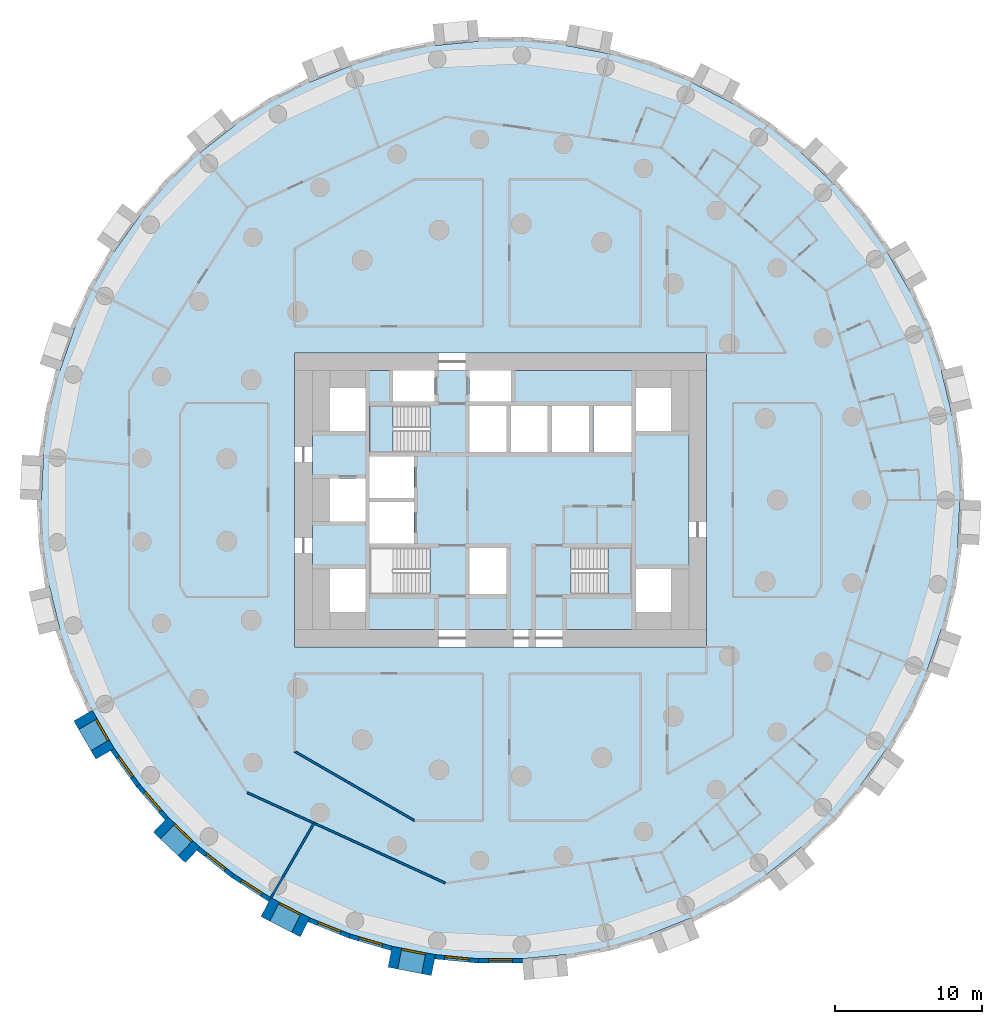
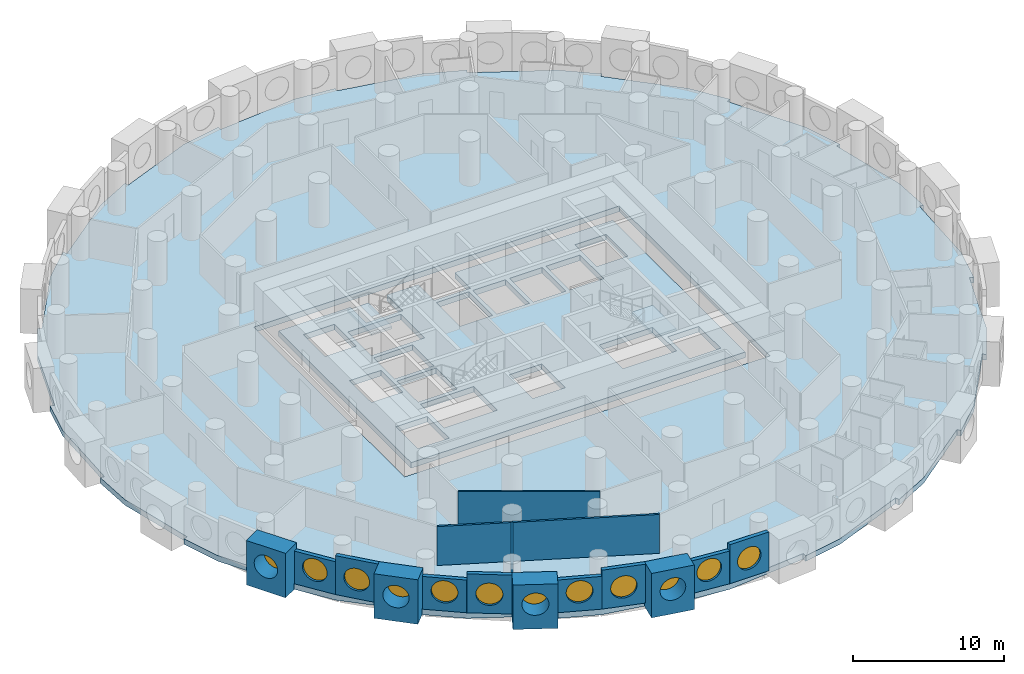
# One storey, part 2 of 12: 15 walls, 12 windows, 4 slabs, 12 openings, 2 elements without a shape of their own.
"""IFC4 building model written with IfcOpenShell, lengths in metres."""

import ifcopenshell
import ifcopenshell.guid

model = None  # the IFC model being written
_history = None  # IfcOwnerHistory: only IFC2X3 demands one
_inside = {}  # id of a spatial element -> (the spatial element, [elements in it])
_under = {}  # id of a project, library or spatial element -> (it, [spatial elements below it])
_declared = {}  # id of a project -> (the project, [libraries it declares])
_typed = {}  # id of a type object -> (the type object, [elements of that type])
_made_of = {}  # id of a material, layer set ... -> (it, [elements and type objects made of it])


def new_model(schema):
    """Start an empty IFC model of exactly this schema.

    Asked for "IFC4X3", IfcOpenShell would pick the latest addendum, in which some entities
    have other attributes; the version numbers below select the first issue.
    IFC2X3 requires an IfcOwnerHistory on every rooted entity: one is made here for all.
    """
    global model, _history
    if schema == "IFC4X3":
        model = ifcopenshell.file(schema_version=(4, 3, 0, 0))
    else:
        model = ifcopenshell.file(schema=schema)
    _inside.clear()
    _under.clear()
    _declared.clear()
    _typed.clear()
    _made_of.clear()
    _history = None
    if model.schema == "IFC2X3":
        org = make("IfcOrganization", Name="unknown")
        user = make(
            "IfcPersonAndOrganization",
            ThePerson=make("IfcPerson", FamilyName="unknown"),
            TheOrganization=org,
        )
        app = make(
            "IfcApplication",
            ApplicationDeveloper=org,
            Version="unknown",
            ApplicationFullName="unknown",
            ApplicationIdentifier="unknown",
        )
        _history = make(
            "IfcOwnerHistory",
            OwningUser=user,
            OwningApplication=app,
            ChangeAction="ADDED",
            CreationDate=0,
        )
    return model


def make(cls, **values):
    """One entity of the class cls with the attributes given. An attribute that is None is left unset."""
    return model.create_entity(
        cls, **{name: value for name, value in values.items() if value is not None}
    )


def rooted(cls, **values):
    """An entity with a GlobalId (a new one), such as an element, a storey or a relation."""
    return make(cls, GlobalId=ifcopenshell.guid.new(), OwnerHistory=_history, **values)


def si_unit(unit_type, name, prefix=None):
    """IfcSIUnit, for example si_unit("LENGTHUNIT", "METRE", prefix="MILLI")."""
    return make("IfcSIUnit", UnitType=unit_type, Prefix=prefix, Name=name)


def assignment(units):
    """IfcUnitAssignment: the units of a project."""
    return None if units is None else make("IfcUnitAssignment", Units=units)


def point(xyz):
    """IfcCartesianPoint."""
    return None if xyz is None else make("IfcCartesianPoint", Coordinates=xyz)


def direction(xyz):
    """IfcDirection."""
    return None if xyz is None else make("IfcDirection", DirectionRatios=xyz)


def frame(location, z_axis=None, x_axis=None):
    """IfcAxis2Placement3D, a coordinate frame: its origin and axes. An axis left out is left unset."""
    return make(
        "IfcAxis2Placement3D",
        Location=point(location),
        Axis=direction(z_axis),
        RefDirection=direction(x_axis),
    )


def frame_2d(location, x_axis=None):
    """IfcAxis2Placement2D, a coordinate frame in the plane: its origin and x axis."""
    return make(
        "IfcAxis2Placement2D", Location=point(location), RefDirection=direction(x_axis)
    )


def origin():
    """The frame at (0, 0, 0) with its axes left unset."""
    return frame((0.0, 0.0, 0.0))


def origin_2d():
    """The frame at (0, 0) in the plane with its x axis left unset."""
    return frame_2d((0.0, 0.0))


def place(relative_to, where):
    """IfcLocalPlacement: puts the frame where relative to a parent placement (None: the world)."""
    return make(
        "IfcLocalPlacement", PlacementRelTo=relative_to, RelativePlacement=where
    )


def context(
    kind, dimensions, precision=None, world=None, true_north=None, identifier=None
):
    """IfcGeometricRepresentationContext, for example the 3D "Model" context."""
    return make(
        "IfcGeometricRepresentationContext",
        ContextIdentifier=identifier,
        ContextType=kind,
        CoordinateSpaceDimension=dimensions,
        Precision=precision,
        WorldCoordinateSystem=world,
        TrueNorth=true_north,
    )


def subcontext(parent, identifier, kind, view, scale=None):
    """IfcGeometricRepresentationSubContext, for example "Body" below "Model"."""
    return make(
        "IfcGeometricRepresentationSubContext",
        ContextIdentifier=identifier,
        ContextType=kind,
        ParentContext=parent,
        TargetScale=scale,
        TargetView=view,
    )


def project(units=None, contexts=None):
    """IfcProject with its units and contexts."""
    return rooted(
        "IfcProject",
        Name="project",
        RepresentationContexts=contexts,
        UnitsInContext=assignment(units),
    )


def spatial(cls, under=None, at=None, **own):
    """A site, building, storey or space (cls), placed at a placement, below another one or the project."""
    s = rooted(cls, ObjectPlacement=at, **own)
    if under is not None:
        _under.setdefault(under.id(), (under, []))[1].append(s)
    return s


def polyline(points):
    """IfcPolyline through the points."""
    return make("IfcPolyline", Points=[point(p) for p in points])


def profile(cls, at=None, kind="AREA", **sizes):
    """A parametric profile (cls). Its sizes go by their IFC names, for example OverallWidth=200.0."""
    return make(cls, ProfileType=kind, Position=at, **sizes)


def rectangle(**sizes):
    """IfcRectangleProfileDef."""
    return profile("IfcRectangleProfileDef", **sizes)


def circle(**sizes):
    """IfcCircleProfileDef."""
    return profile("IfcCircleProfileDef", **sizes)


def outline(outer, holes=None, kind="AREA"):
    """IfcArbitraryClosedProfileDef: a profile drawn as a closed curve; with holes, ...WithVoids."""
    if holes is None:
        return make("IfcArbitraryClosedProfileDef", ProfileType=kind, OuterCurve=outer)
    return make(
        "IfcArbitraryProfileDefWithVoids",
        ProfileType=kind,
        OuterCurve=outer,
        InnerCurves=holes,
    )


def extrude(swept, where, along, depth):
    """IfcExtrudedAreaSolid: the profile swept, set in the frame where, extruded along a direction by depth."""
    return make(
        "IfcExtrudedAreaSolid",
        SweptArea=swept,
        Position=where,
        ExtrudedDirection=direction(along),
        Depth=depth,
    )


def shape(context_of_items, identifier, shape_type, items):
    """IfcShapeRepresentation: the items that make up one representation, for example the "Body"."""
    return make(
        "IfcShapeRepresentation",
        ContextOfItems=context_of_items,
        RepresentationIdentifier=identifier,
        RepresentationType=shape_type,
        Items=items,
    )


def material(Name=None, Category=None):
    """IfcMaterial."""
    return make("IfcMaterial", Name=Name, Category=Category)


def layer(
    of_material, thickness, ventilated=None, Name=None, Category=None, Priority=None
):
    """IfcMaterialLayer: one layer of a wall or slab, of a material (None: an air gap)."""
    return make(
        "IfcMaterialLayer",
        Material=of_material,
        LayerThickness=thickness,
        IsVentilated=ventilated,
        Name=Name,
        Category=Category,
        Priority=Priority,
    )


def layer_set(layers, Name=None):
    """IfcMaterialLayerSet."""
    return make("IfcMaterialLayerSet", MaterialLayers=layers, LayerSetName=Name)


def made_of(thing, what):
    """Note that an element or type object is made of a material, layer set ...; save() writes the relation."""
    if what is not None:
        _made_of.setdefault(what.id(), (what, []))[1].append(thing)
    return thing


def type_object(cls, material=None, **own):
    """A type object (cls), such as IfcWallType, which elements share."""
    return made_of(rooted(cls, **own), material)


def element(
    cls,
    number,
    at=None,
    inside=None,
    cuts=None,
    type_object=None,
    material=None,
    context=None,
    identifier="Body",
    shape_type=None,
    held_by="IfcProductDefinitionShape",
    body=None,
    shapes=None,
    **own,
):
    """One element of the class cls, such as IfcWall. Its Tag is "e" and its number.

    at: its placement. inside: the storey or other place that contains it. cuts: it is an
    opening in that element (IfcRelVoidsElement). A single representation is given by context,
    identifier, shape_type and body (its items); several are given by shapes. held_by: the class
    of the entity that holds the representations. save() writes the other relations.
    """
    e = rooted(cls, Tag="e%d" % number, ObjectPlacement=at, **own)
    if body is not None:
        shapes = [shape(context, identifier, shape_type, body)]
    if shapes is not None:
        e.Representation = make(held_by, Representations=shapes)
    if inside is not None:
        _inside.setdefault(inside.id(), (inside, []))[1].append(e)
    if cuts is not None:
        rooted(
            "IfcRelVoidsElement", RelatingBuildingElement=cuts, RelatedOpeningElement=e
        )
    if type_object is not None:
        _typed.setdefault(type_object.id(), (type_object, []))[1].append(e)
    return made_of(e, material)


def fill(opening, filler):
    """IfcRelFillsElement: the door or window that sits in an opening."""
    return rooted(
        "IfcRelFillsElement",
        RelatingOpeningElement=opening,
        RelatedBuildingElement=filler,
    )


def aggregate(whole, parts):
    """IfcRelAggregates: a whole, such as a stair, and the parts it consists of."""
    return rooted("IfcRelAggregates", RelatingObject=whole, RelatedObjects=parts)


def save(model, path):
    """Write the relations noted so far, then the file.

    IfcRelAggregates (storeys below a building ...), IfcRelContainedInSpatialStructure (elements
    in a storey), IfcRelDefinesByType, IfcRelAssociatesMaterial and IfcRelDeclares: one each for
    every whole, place, type object, material and project.
    """
    for whole, parts in _under.values():
        aggregate(whole, parts)
    for where, things in _inside.values():
        rooted(
            "IfcRelContainedInSpatialStructure",
            RelatedElements=things,
            RelatingStructure=where,
        )
    for kind, things in _typed.values():
        rooted("IfcRelDefinesByType", RelatedObjects=things, RelatingType=kind)
    for what, things in _made_of.values():
        rooted("IfcRelAssociatesMaterial", RelatedObjects=things, RelatingMaterial=what)
    for by, libraries in _declared.values():
        rooted("IfcRelDeclares", RelatingContext=by, RelatedDefinitions=libraries)
    model.write(path)


model = new_model("IFC4")

# Units and contexts
model_context = context("Model", 3, precision=1e-05, world=origin(), true_north=direction((0.0, 1.0)))
body_context = subcontext(model_context, "Body", "Model", "MODEL_VIEW")
ifc_project = project(units=[si_unit("LENGTHUNIT", "METRE"), si_unit("AREAUNIT", "SQUARE_METRE"), si_unit("VOLUMEUNIT", "CUBIC_METRE"), si_unit("PLANEANGLEUNIT", "RADIAN"), si_unit("MASSUNIT", "GRAM", prefix="KILO")], contexts=[model_context])

# Site, building, storey
site_placement = place(None, origin())
site = spatial("IfcSite", under=ifc_project, at=site_placement, CompositionType="ELEMENT")
building_placement = place(site_placement, origin())
building = spatial("IfcBuilding", under=site, at=building_placement, Name="Tracery Tower", CompositionType="ELEMENT")
storey_placement = place(building_placement, frame((0.0, 0.0, 78.60009765625)))
storey = spatial("IfcBuildingStorey", under=building, at=storey_placement, Name="L19", CompositionType="ELEMENT", Elevation=78.60009765625)

# Slabs
ifc_material_1 = material(Name="Concrete C60/75", Category="concrete")
ifc_layer_1 = layer(ifc_material_1, 0.449951171875)
ifc_layer_set_1 = layer_set([ifc_layer_1], Name="Core floor slab 450 C60")
slab_type_1 = type_object("IfcSlabType", Name="Core floor slab 450 C60", PredefinedType="FLOOR", material=ifc_layer_set_1)
slab_1_placement = place(storey_placement, frame((0.0, 0.0, -0.4501953125)))
element("IfcSlab", 1, at=slab_1_placement, inside=storey, type_object=slab_type_1, Name="L19 core floor 1", PredefinedType="FLOOR", context=body_context, shape_type="SweptSolid", body=[
    extrude(outline(polyline([(-12.800048828125, 8.800048828125), (-7.300048828125, 8.800048828125), (-7.300048828125, 6.699951171875), (-4.5, 6.699951171875), (-4.5, 8.800048828125), (-2.10009765625, 8.800048828125), (-2.10009765625, 6.699951171875), (0.699951171875, 6.699951171875), (0.699951171875, 8.800048828125), (12.800048828125, 8.800048828125), (12.800048828125, -8.800048828125), (-12.800048828125, -8.800048828125), (-12.800048828125, 8.800048828125)]), holes=[polyline([(11.60009765625, -7.60009765625), (11.60009765625, -4.699951171875), (9.199951171875, -4.699951171875), (9.199951171875, -7.60009765625), (11.60009765625, -7.60009765625)]), polyline([(11.60009765625, 4.699951171875), (11.60009765625, 7.60009765625), (9.199951171875, 7.60009765625), (9.199951171875, 4.699951171875), (11.60009765625, 4.699951171875)]), polyline([(4.800537109375, -3.25), (4.800537109375, -6.39990234375), (8.89990234375, -6.39990234375), (8.89990234375, -3.25), (4.800537109375, -3.25)]), polyline([(6.300048828125, 3.25), (8.89990234375, 3.25), (8.89990234375, 6.39990234375), (6.300048828125, 6.39990234375), (6.300048828125, 3.25)]), polyline([(3.5, 3.25), (6.0, 3.25), (6.0, 6.39990234375), (3.5, 6.39990234375), (3.5, 3.25)]), polyline([(3.199951171875, 3.25), (3.199951171875, 6.39990234375), (0.699951171875, 6.39990234375), (0.699951171875, 3.25), (3.199951171875, 3.25)]), polyline([(-2.10009765625, 3.25), (0.39990234375, 3.25), (0.39990234375, 6.39990234375), (-2.10009765625, 6.39990234375), (-2.10009765625, 3.25)]), polyline([(0.39990234375, -6.39990234375), (0.39990234375, -3.25), (-2.10009765625, -3.25), (-2.10009765625, -6.39990234375), (0.39990234375, -6.39990234375)]), polyline([(-4.800537109375, -3.25), (-8.89990234375, -3.25), (-8.89990234375, -6.39990234375), (-4.800537109375, -6.39990234375), (-4.800537109375, -3.25)]), polyline([(-4.800537109375, 6.39990234375), (-8.89990234375, 6.39990234375), (-8.89990234375, 3.25), (-4.800537109375, 3.25), (-4.800537109375, 6.39990234375)]), polyline([(-8.89990234375, -2.949951171875), (-5.89990234375, -2.949951171875), (-5.89990234375, -0.14990234375), (-8.89990234375, -0.14990234375), (-8.89990234375, -2.949951171875)]), polyline([(-5.89990234375, 0.14990234375), (-5.89990234375, 2.949951171875), (-8.89990234375, 2.949951171875), (-8.89990234375, 0.14990234375), (-5.89990234375, 0.14990234375)]), polyline([(-11.60009765625, 4.699951171875), (-9.199951171875, 4.699951171875), (-9.199951171875, 7.60009765625), (-11.60009765625, 7.60009765625), (-11.60009765625, 4.699951171875)]), polyline([(-9.199951171875, -7.60009765625), (-9.199951171875, -4.699951171875), (-11.60009765625, -4.699951171875), (-11.60009765625, -7.60009765625), (-9.199951171875, -7.60009765625)]), polyline([(-9.199951171875, -1.449951171875), (-9.199951171875, 1.449951171875), (-11.60009765625, 1.449951171875), (-11.60009765625, -1.449951171875), (-9.199951171875, -1.449951171875)])]), origin(), (0.0, 0.0, 1.0), 0.4501953125),
])
ifc_material_2 = material(Name="Concrete C50/60", Category="concrete")
ifc_layer_2 = layer(ifc_material_2, 0.449951171875)
ifc_layer_set_2 = layer_set([ifc_layer_2], Name="Floor slab 450")
slab_type_2 = type_object("IfcSlabType", Name="Floor slab 450", PredefinedType="FLOOR", material=ifc_layer_set_2)
slab_2_placement = place(storey_placement, frame((0.0, 0.0, -0.4501953125)))
element("IfcSlab", 2, at=slab_2_placement, inside=storey, type_object=slab_type_2, Name="Floor slab L19", PredefinedType="FLOOR", context=body_context, shape_type="SweptSolid", body=[
    extrude(outline(polyline([(30.663330078125, 5.8955078125), (30.663330078125, 5.895263671875), (30.66015625, 5.908447265625), (30.659912109375, 5.9091796875), (30.6015625, 6.150390625), (29.9560546875, 8.810791015625), (30.24755859375, 8.881591796875), (30.24755859375, 8.881591796875), (29.266357421875, 11.716552734375), (27.760498046875, 14.29541015625), (27.760498046875, 14.29541015625), (27.7548828125, 14.3046875), (27.753173828125, 14.307861328125), (26.267578125, 16.881103515625), (26.267578125, 16.881103515625), (26.260498046875, 16.8935546875), (26.52001953125, 17.04345703125), (26.520263671875, 17.04345703125), (24.780029296875, 19.4873046875), (22.6083984375, 21.537353515625), (22.6083984375, 21.537353515625), (21.854736328125, 22.256103515625), (20.447509765625, 23.59765625), (20.447509765625, 23.59765625), (20.437255859375, 23.607666015625), (20.64404296875, 23.824462890625), (20.644287109375, 23.82470703125), (18.2861328125, 25.67919921875), (15.625, 27.034423828125), (15.624755859375, 27.034423828125), (15.614990234375, 27.03955078125), (15.612060546875, 27.041015625), (13.0693359375, 28.351806640625), (12.958251953125, 28.4091796875), (13.095703125, 28.67578125), (10.310791015625, 29.790771484375), (7.37548828125, 30.341552734375), (7.37548828125, 30.34130859375), (7.114501953125, 30.3916015625), (4.443603515625, 30.906494140625), (4.443603515625, 30.906494140625), (4.4296875, 30.9091796875), (4.486328125, 31.203369140625), (4.486328125, 31.20361328125), (1.5, 31.489013671875), (-1.471435546875, 31.190185546875), (-1.471435546875, 31.190185546875), (-1.859375, 31.1533203125), (-4.443603515625, 30.906494140625), (-4.443603515625, 30.906494140625), (-4.4580078125, 30.905029296875), (-4.486328125, 31.20361328125), (-7.43212890625, 30.635986328125), (-10.19921875, 29.512451171875), (-10.19921875, 29.51220703125), (-12.984375, 28.397216796875), (-13.095703125, 28.67578125), (-13.095703125, 28.67578125), (-15.76220703125, 27.301025390625), (-18.1005859375, 25.443359375), (-18.1005859375, 25.443359375), (-18.103271484375, 25.44140625), (-18.11181640625, 25.4345703125), (-20.447509765625, 23.59765625), (-20.447509765625, 23.59765625), (-20.458740234375, 23.5888671875), (-20.644287109375, 23.82470703125), (-22.8154296875, 21.75439453125), (-24.53564453125, 19.313232421875), (-24.53564453125, 19.313232421875), (-24.81201171875, 18.9248046875), (-26.267578125, 16.881103515625), (-26.267578125, 16.881103515625), (-26.27587890625, 16.869384765625), (-26.520263671875, 17.04345703125), (-28.020263671875, 14.4453125), (-28.98291015625, 11.618408203125), (-28.98291015625, 11.618408203125), (-29.964111328125, 8.783447265625), (-30.24755859375, 8.881591796875), (-30.954833984375, 5.966064453125), (-31.082275390625, 2.982421875), (-31.082275390625, 2.982421875), (-31.224853515625, -0.014404296875), (-31.524658203125, 0.0), (-31.524658203125, 0.0), (-31.3818359375, -2.99658203125), (-30.663330078125, -5.8955078125), (-30.663330078125, -5.895263671875), (-30.66015625, -5.908447265625), (-30.659912109375, -5.9091796875), (-30.6015625, -6.150390625), (-29.9560546875, -8.810791015625), (-30.24755859375, -8.881591796875), (-30.24755859375, -8.881591796875), (-29.266357421875, -11.716552734375), (-27.760498046875, -14.29541015625), (-27.760498046875, -14.29541015625), (-27.7548828125, -14.3046875), (-27.753173828125, -14.307861328125), (-26.267578125, -16.881103515625), (-26.267578125, -16.881103515625), (-26.260498046875, -16.8935546875), (-26.52001953125, -17.04345703125), (-26.520263671875, -17.04345703125), (-24.780029296875, -19.4873046875), (-22.6083984375, -21.537353515625), (-22.6083984375, -21.537353515625), (-21.854736328125, -22.256103515625), (-20.447509765625, -23.59765625), (-20.447509765625, -23.59765625), (-20.437255859375, -23.607666015625), (-20.64404296875, -23.824462890625), (-20.644287109375, -23.82470703125), (-18.2861328125, -25.67919921875), (-15.625, -27.034423828125), (-15.624755859375, -27.034423828125), (-15.614990234375, -27.03955078125), (-15.612060546875, -27.041015625), (-13.0693359375, -28.351806640625), (-12.958251953125, -28.4091796875), (-13.095703125, -28.67578125), (-10.310791015625, -29.790771484375), (-7.37548828125, -30.341552734375), (-7.37548828125, -30.34130859375), (-7.114501953125, -30.3916015625), (-4.443603515625, -30.906494140625), (-4.443603515625, -30.906494140625), (-4.4296875, -30.9091796875), (-4.486328125, -31.203369140625), (-4.486328125, -31.20361328125), (-1.5, -31.489013671875), (1.471435546875, -31.190185546875), (1.471435546875, -31.190185546875), (1.859375, -31.1533203125), (4.443603515625, -30.906494140625), (4.443603515625, -30.906494140625), (4.4580078125, -30.905029296875), (4.486328125, -31.20361328125), (7.43212890625, -30.635986328125), (10.19921875, -29.512451171875), (10.19921875, -29.51220703125), (12.984375, -28.397216796875), (13.095703125, -28.67578125), (13.095703125, -28.67578125), (15.76220703125, -27.301025390625), (18.1005859375, -25.443359375), (18.1005859375, -25.443359375), (18.103271484375, -25.44140625), (18.11181640625, -25.4345703125), (20.447509765625, -23.59765625), (20.447509765625, -23.59765625), (20.458740234375, -23.5888671875), (20.644287109375, -23.82470703125), (22.8154296875, -21.75439453125), (24.53564453125, -19.313232421875), (24.53564453125, -19.313232421875), (24.81201171875, -18.9248046875), (26.267578125, -16.881103515625), (26.267578125, -16.881103515625), (26.27587890625, -16.869384765625), (26.520263671875, -17.04345703125), (28.020263671875, -14.4453125), (28.98291015625, -11.618408203125), (28.98291015625, -11.618408203125), (29.964111328125, -8.783447265625), (30.24755859375, -8.881591796875), (30.954833984375, -5.966064453125), (31.082275390625, -2.982421875), (31.082275390625, -2.982421875), (31.224853515625, 0.014404296875), (31.524658203125, 0.0), (31.3818359375, 2.99658203125), (30.663330078125, 5.8955078125)]), holes=[polyline([(-14.0, -10.0), (14.0, -10.0), (14.0, 10.0), (-14.0, 10.0), (-14.0, -10.0)])]), origin(), (0.0, 0.0, 1.0), 0.4501953125),
])

# Stair, slab
ifc_material_3 = material(Name="Concrete C32/40", Category="concrete")
stair_type = type_object("IfcStairType", Name="Core stair 22 risers", PredefinedType="HALF_TURN_STAIR", material=ifc_material_3)
stair_1_placement = place(storey_placement, origin())
stair_1 = element("IfcStair", 3, at=stair_1_placement, inside=storey, type_object=stair_type, Name="L19 stair ST3", PredefinedType="HALF_TURN_STAIR")
ifc_material_4 = material(Name="Concrete C32/40", Category="concrete")
ifc_layer_3 = layer(ifc_material_4, 0.199951171875)
ifc_layer_set_3 = layer_set([ifc_layer_3], Name="Stair landing slab 200")
slab_type_3 = type_object("IfcSlabType", Name="Stair landing slab 200", PredefinedType="LANDING", material=ifc_layer_set_3)
slab_3_placement = place(storey_placement, frame((0.0, 0.0, 1.599853515625)))
slab_3 = element("IfcSlab", 4, at=slab_3_placement, type_object=slab_type_3, Name="ST3 landing 1", PredefinedType="LANDING", context=body_context, shape_type="SweptSolid", body=[
    extrude(outline(polyline([(-7.29931640625, 6.39990234375), (-8.89990234375, 6.39990234375), (-8.89990234375, 3.25), (-7.29931640625, 3.25), (-7.29931640625, 6.39990234375)])), origin(), (0.0, 0.0, 1.0), 0.199951171875),
])
aggregate(stair_1, [slab_3])

stair_2_placement = place(storey_placement, origin())
stair_2 = element("IfcStair", 5, at=stair_2_placement, inside=storey, type_object=stair_type, Name="L19 stair ST2", PredefinedType="HALF_TURN_STAIR")
slab_4_placement = place(storey_placement, frame((0.0, 0.0, 1.599853515625)))
slab_4 = element("IfcSlab", 6, at=slab_4_placement, type_object=slab_type_3, Name="ST2 landing 1", PredefinedType="LANDING", context=body_context, shape_type="SweptSolid", body=[
    extrude(outline(polyline([(7.29931640625, -6.39990234375), (8.89990234375, -6.39990234375), (8.89990234375, -3.25), (7.29931640625, -3.25), (7.29931640625, -6.39990234375)])), origin(), (0.0, 0.0, 1.0), 0.199951171875),
])
aggregate(stair_2, [slab_4])

# Wall, opening, window
ifc_material_5 = material(Name="Precast concrete C50/60", Category="concrete")
ifc_layer_4 = layer(ifc_material_5, 1.449951171875)
ifc_layer_set_4 = layer_set([ifc_layer_4], Name="Deep-set bay unit 3000 x 3600, slab edge 450")
wall_type_1 = type_object("IfcWallType", Name="Deep-set bay unit 3000 x 3600, slab edge 450", PredefinedType="ELEMENTEDWALL", material=ifc_layer_set_4)
wall_1_placement = place(storey_placement, frame((-28.38818359375, -14.657958984375, -0.4501953125), z_axis=(0.0, 0.0, 1.0), x_axis=(0.499990139034, -0.866031096941, 0.0)))
wall_1 = element("IfcWall", 7, at=wall_1_placement, inside=storey, type_object=wall_type_1, Name="Deep-set bay unit 39 at L19", PredefinedType="ELEMENTEDWALL", context=body_context, shape_type="SweptSolid", body=[
    extrude(rectangle(XDim=3.0, YDim=1.449951171875, at=frame_2d((1.5, 0.0))), origin(), (0.0, 0.0, 1.0), 3.60009765625),
])
opening_1_placement = place(wall_1_placement, frame((1.5, 0.0, 2.0)))
opening_1 = element("IfcOpeningElement", 8, at=opening_1_placement, cuts=wall_1, Name="Opening WN1", PredefinedType="OPENING", context=body_context, shape_type="SweptSolid", body=[
    extrude(circle(Radius=0.9000244140625, at=origin_2d()), frame((0.0, 0.73486328125, 0.0), z_axis=(0.0, -1.0, 0.0), x_axis=(1.0, 0.0, 0.0)), (0.0, 0.0, 1.0), 1.469970703125),
])
ifc_material_6 = material(Name="Aluminium frame with tinted double glazing", Category="aluminium")
window_type = type_object("IfcWindowType", Name="Round window 1800", PartitioningType="SINGLE_PANEL", PredefinedType="WINDOW", material=ifc_material_6)
window_1_placement = place(opening_1_placement, origin())
window_1 = element("IfcWindow", 9, at=window_1_placement, inside=storey, type_object=window_type, Name="Round window 39 at L19", OverallHeight=1.800048828125, OverallWidth=1.800048828125, PartitioningType="SINGLE_PANEL", PredefinedType="WINDOW", context=body_context, shape_type="SweptSolid", body=[
    extrude(circle(Radius=0.9000244140625, at=origin_2d()), frame((0.0, 0.69482421875, 0.0), z_axis=(0.0, -1.0, 0.0), x_axis=(1.0, 0.0, 0.0)), (0.0, 0.0, 1.0), 0.10009765625),
])
fill(opening_1, window_1)

wall_2_placement = place(storey_placement, frame((-23.108642578125, -22.06201171875, -0.4501953125), z_axis=(0.0, 0.0, 1.0), x_axis=(0.723712023899, -0.690102098579, 0.0)))
wall_2 = element("IfcWall", 10, at=wall_2_placement, inside=storey, type_object=wall_type_1, Name="Deep-set bay unit 42 at L19", PredefinedType="ELEMENTEDWALL", context=body_context, shape_type="SweptSolid", body=[
    extrude(rectangle(XDim=3.0, YDim=1.449951171875, at=frame_2d((1.5, 0.0))), origin(), (0.0, 0.0, 1.0), 3.60009765625),
])
opening_2_placement = place(wall_2_placement, frame((1.5, 0.0, 2.0)))
opening_2 = element("IfcOpeningElement", 11, at=opening_2_placement, cuts=wall_2, Name="Opening WN1", PredefinedType="OPENING", context=body_context, shape_type="SweptSolid", body=[
    extrude(circle(Radius=0.9000244140625, at=origin_2d()), frame((0.0, 0.73486328125, 0.0), z_axis=(0.0, -1.0, 0.0), x_axis=(1.0, 0.0, 0.0)), (0.0, 0.0, 1.0), 1.469970703125),
])
window_2_placement = place(opening_2_placement, origin())
window_2 = element("IfcWindow", 12, at=window_2_placement, inside=storey, type_object=window_type, Name="Round window 42 at L19", OverallHeight=1.800048828125, OverallWidth=1.800048828125, PartitioningType="SINGLE_PANEL", PredefinedType="WINDOW", context=body_context, shape_type="SweptSolid", body=[
    extrude(circle(Radius=0.9000244140625, at=origin_2d()), frame((0.0, 0.69482421875, 0.0), z_axis=(0.0, -1.0, 0.0), x_axis=(1.0, 0.0, 0.0)), (0.0, 0.0, 1.0), 0.10009765625),
])
fill(opening_2, window_2)

wall_3_placement = place(storey_placement, frame((-15.95703125, -27.678955078125, -0.4501953125), z_axis=(0.0, 0.0, 1.0), x_axis=(0.888858064689, -0.458182650083, 0.0)))
wall_3 = element("IfcWall", 13, at=wall_3_placement, inside=storey, type_object=wall_type_1, Name="Deep-set bay unit 45 at L19", PredefinedType="ELEMENTEDWALL", context=body_context, shape_type="SweptSolid", body=[
    extrude(rectangle(XDim=3.0, YDim=1.449951171875, at=frame_2d((1.5, 0.0))), origin(), (0.0, 0.0, 1.0), 3.60009765625),
])
opening_3_placement = place(wall_3_placement, frame((1.5, 0.0, 2.0)))
opening_3 = element("IfcOpeningElement", 14, at=opening_3_placement, cuts=wall_3, Name="Opening WN1", PredefinedType="OPENING", context=body_context, shape_type="SweptSolid", body=[
    extrude(circle(Radius=0.9000244140625, at=origin_2d()), frame((0.0, 0.73486328125, 0.0), z_axis=(0.0, -1.0, 0.0), x_axis=(1.0, 0.0, 0.0)), (0.0, 0.0, 1.0), 1.469970703125),
])
window_3_placement = place(opening_3_placement, origin())
window_3 = element("IfcWindow", 15, at=window_3_placement, inside=storey, type_object=window_type, Name="Round window 45 at L19", OverallHeight=1.800048828125, OverallWidth=1.800048828125, PartitioningType="SINGLE_PANEL", PredefinedType="WINDOW", context=body_context, shape_type="SweptSolid", body=[
    extrude(circle(Radius=0.9000244140625, at=origin_2d()), frame((0.0, 0.69482421875, 0.0), z_axis=(0.0, -1.0, 0.0), x_axis=(1.0, 0.0, 0.0)), (0.0, 0.0, 1.0), 0.10009765625),
])
fill(opening_3, window_3)

wall_4_placement = place(storey_placement, frame((-7.5126953125, -31.05322265625, -0.4501953125), z_axis=(0.0, 0.0, 1.0), x_axis=(0.981921602273, -0.189288052949, 0.0)))
wall_4 = element("IfcWall", 16, at=wall_4_placement, inside=storey, type_object=wall_type_1, Name="Deep-set bay unit 48 at L19", PredefinedType="ELEMENTEDWALL", context=body_context, shape_type="SweptSolid", body=[
    extrude(rectangle(XDim=3.0, YDim=1.449951171875, at=frame_2d((1.5, 0.0))), origin(), (0.0, 0.0, 1.0), 3.60009765625),
])
opening_4_placement = place(wall_4_placement, frame((1.5, 0.0, 2.0)))
opening_4 = element("IfcOpeningElement", 17, at=opening_4_placement, cuts=wall_4, Name="Opening WN1", PredefinedType="OPENING", context=body_context, shape_type="SweptSolid", body=[
    extrude(circle(Radius=0.9000244140625, at=origin_2d()), frame((0.0, 0.73486328125, 0.0), z_axis=(0.0, -1.0, 0.0), x_axis=(1.0, 0.0, 0.0)), (0.0, 0.0, 1.0), 1.469970703125),
])
window_4_placement = place(opening_4_placement, origin())
window_4 = element("IfcWindow", 18, at=window_4_placement, inside=storey, type_object=window_type, Name="Round window 48 at L19", OverallHeight=1.800048828125, OverallWidth=1.800048828125, PartitioningType="SINGLE_PANEL", PredefinedType="WINDOW", context=body_context, shape_type="SweptSolid", body=[
    extrude(circle(Radius=0.9000244140625, at=origin_2d()), frame((0.0, 0.69482421875, 0.0), z_axis=(0.0, -1.0, 0.0), x_axis=(1.0, 0.0, 0.0)), (0.0, 0.0, 1.0), 0.10009765625),
])
fill(opening_4, window_4)

ifc_material_7 = material(Name="Precast concrete C50/60", Category="concrete")
ifc_layer_5 = layer(ifc_material_7, 0.300048828125)
ifc_layer_set_5 = layer_set([ifc_layer_5], Name="Facade panel 3000 x 2650")
wall_type_2 = type_object("IfcWallType", Name="Facade panel 3000 x 2650", PredefinedType="SOLIDWALL", material=ifc_layer_set_5)
wall_5_placement = place(storey_placement, frame((-26.390380859375, -16.96728515625, 0.0), z_axis=(0.0, 0.0, 1.0), x_axis=(0.580113774115, -0.814535456, 0.0)))
wall_5 = element("IfcWall", 19, at=wall_5_placement, inside=storey, type_object=wall_type_2, Name="Facade panel 40 at L19", PredefinedType="SOLIDWALL", context=body_context, shape_type="SweptSolid", body=[
    extrude(rectangle(XDim=2.979736328125, YDim=0.300048828125, at=frame_2d((1.48974609375, 0.0))), origin(), (0.0, 0.0, 1.0), 2.64990234375),
])
opening_5_placement = place(wall_5_placement, frame((1.48974609375, 0.0, 1.5498046875)))
opening_5 = element("IfcOpeningElement", 20, at=opening_5_placement, cuts=wall_5, Name="Opening WN1", PredefinedType="OPENING", context=body_context, shape_type="SweptSolid", body=[
    extrude(circle(Radius=0.9000244140625, at=origin_2d()), frame((0.0, 0.159912109375, 0.0), z_axis=(0.0, -1.0, 0.0), x_axis=(1.0, 0.0, 0.0)), (0.0, 0.0, 1.0), 0.320068359375),
])
window_5_placement = place(opening_5_placement, origin())
window_5 = element("IfcWindow", 21, at=window_5_placement, inside=storey, type_object=window_type, Name="Round window 40 at L19", OverallHeight=1.800048828125, OverallWidth=1.800048828125, PartitioningType="SINGLE_PANEL", PredefinedType="WINDOW", context=body_context, shape_type="SweptSolid", body=[
    extrude(circle(Radius=0.9000244140625, at=origin_2d()), frame((0.0, 0.1201171875, 0.0), z_axis=(0.0, -1.0, 0.0), x_axis=(1.0, 0.0, 0.0)), (0.0, 0.0, 1.0), 0.10009765625),
])
fill(opening_5, window_5)

wall_6_placement = place(storey_placement, frame((-20.541015625, -23.715087890625, 0.0), z_axis=(0.0, 0.0, 1.0), x_axis=(0.786053834673, -0.618158045322, 0.0)))
wall_6 = element("IfcWall", 22, at=wall_6_placement, inside=storey, type_object=wall_type_2, Name="Facade panel 43 at L19", PredefinedType="SOLIDWALL", context=body_context, shape_type="SweptSolid", body=[
    extrude(rectangle(XDim=2.9794921875, YDim=0.300048828125, at=frame_2d((1.48974609375, 0.0))), origin(), (0.0, 0.0, 1.0), 2.64990234375),
])
opening_6_placement = place(wall_6_placement, frame((1.48974609375, 0.0, 1.5498046875)))
opening_6 = element("IfcOpeningElement", 23, at=opening_6_placement, cuts=wall_6, Name="Opening WN1", PredefinedType="OPENING", context=body_context, shape_type="SweptSolid", body=[
    extrude(circle(Radius=0.9000244140625, at=origin_2d()), frame((0.0, 0.159912109375, 0.0), z_axis=(0.0, -1.0, 0.0), x_axis=(1.0, 0.0, 0.0)), (0.0, 0.0, 1.0), 0.320068359375),
])
window_6_placement = place(opening_6_placement, origin())
window_6 = element("IfcWindow", 24, at=window_6_placement, inside=storey, type_object=window_type, Name="Round window 43 at L19", OverallHeight=1.800048828125, OverallWidth=1.800048828125, PartitioningType="SINGLE_PANEL", PredefinedType="WINDOW", context=body_context, shape_type="SweptSolid", body=[
    extrude(circle(Radius=0.9000244140625, at=origin_2d()), frame((0.0, 0.1201171875, 0.0), z_axis=(0.0, -1.0, 0.0), x_axis=(1.0, 0.0, 0.0)), (0.0, 0.0, 1.0), 0.10009765625),
])
fill(opening_6, window_6)

wall_7_placement = place(storey_placement, frame((-13.02783203125, -28.54150390625, 0.0), z_axis=(0.0, 0.0, 1.0), x_axis=(0.928374947, -0.371644935098, 0.0)))
wall_7 = element("IfcWall", 25, at=wall_7_placement, inside=storey, type_object=wall_type_2, Name="Facade panel 46 at L19", PredefinedType="SOLIDWALL", context=body_context, shape_type="SweptSolid", body=[
    extrude(rectangle(XDim=2.979736328125, YDim=0.300048828125, at=frame_2d((1.48974609375, 0.0))), origin(), (0.0, 0.0, 1.0), 2.64990234375),
])
opening_7_placement = place(wall_7_placement, frame((1.48974609375, 0.0, 1.5498046875)))
opening_7 = element("IfcOpeningElement", 26, at=opening_7_placement, cuts=wall_7, Name="Opening WN1", PredefinedType="OPENING", context=body_context, shape_type="SweptSolid", body=[
    extrude(circle(Radius=0.9000244140625, at=origin_2d()), frame((0.0, 0.159912109375, 0.0), z_axis=(0.0, -1.0, 0.0), x_axis=(1.0, 0.0, 0.0)), (0.0, 0.0, 1.0), 0.320068359375),
])
window_7_placement = place(opening_7_placement, origin())
window_7 = element("IfcWindow", 27, at=window_7_placement, inside=storey, type_object=window_type, Name="Round window 46 at L19", OverallHeight=1.800048828125, OverallWidth=1.800048828125, PartitioningType="SINGLE_PANEL", PredefinedType="WINDOW", context=body_context, shape_type="SweptSolid", body=[
    extrude(circle(Radius=0.9000244140625, at=origin_2d()), frame((0.0, 0.1201171875, 0.0), z_axis=(0.0, -1.0, 0.0), x_axis=(1.0, 0.0, 0.0)), (0.0, 0.0, 1.0), 0.10009765625),
])
fill(opening_7, window_7)

wall_8_placement = place(storey_placement, frame((-4.458984375, -31.0556640625, 0.0), z_axis=(0.0, 0.0, 1.0), x_axis=(0.995472611385, -0.095048829468, 0.0)))
wall_8 = element("IfcWall", 28, at=wall_8_placement, inside=storey, type_object=wall_type_2, Name="Facade panel 49 at L19", PredefinedType="SOLIDWALL", context=body_context, shape_type="SweptSolid", body=[
    extrude(rectangle(XDim=2.9794921875, YDim=0.300048828125, at=frame_2d((1.48974609375, 0.0))), origin(), (0.0, 0.0, 1.0), 2.64990234375),
])
opening_8_placement = place(wall_8_placement, frame((1.48974609375, 0.0, 1.5498046875)))
opening_8 = element("IfcOpeningElement", 29, at=opening_8_placement, cuts=wall_8, Name="Opening WN1", PredefinedType="OPENING", context=body_context, shape_type="SweptSolid", body=[
    extrude(circle(Radius=0.9000244140625, at=origin_2d()), frame((0.0, 0.159912109375, 0.0), z_axis=(0.0, -1.0, 0.0), x_axis=(1.0, 0.0, 0.0)), (0.0, 0.0, 1.0), 0.320068359375),
])
window_8_placement = place(opening_8_placement, origin())
window_8 = element("IfcWindow", 30, at=window_8_placement, inside=storey, type_object=window_type, Name="Round window 49 at L19", OverallHeight=1.800048828125, OverallWidth=1.800048828125, PartitioningType="SINGLE_PANEL", PredefinedType="WINDOW", context=body_context, shape_type="SweptSolid", body=[
    extrude(circle(Radius=0.9000244140625, at=origin_2d()), frame((0.0, 0.1201171875, 0.0), z_axis=(0.0, -1.0, 0.0), x_axis=(1.0, 0.0, 0.0)), (0.0, 0.0, 1.0), 0.10009765625),
])
fill(opening_8, window_8)

ifc_material_8 = material(Name="Precast concrete C50/60", Category="concrete")
ifc_layer_6 = layer(ifc_material_8, 0.300048828125)
ifc_layer_set_6 = layer_set([ifc_layer_6], Name="Facade panel 3000 x 3150")
wall_type_3 = type_object("IfcWallType", Name="Facade panel 3000 x 3150", PredefinedType="SOLIDWALL", material=ifc_layer_set_6)
wall_9_placement = place(storey_placement, frame((-24.661865234375, -19.394287109375, 0.0), z_axis=(0.0, 0.0, 1.0), x_axis=(0.654830712471, -0.755775587066, 0.0)))
wall_9 = element("IfcWall", 31, at=wall_9_placement, inside=storey, type_object=wall_type_3, Name="Facade panel 41 at L19", PredefinedType="SOLIDWALL", context=body_context, shape_type="SweptSolid", body=[
    extrude(rectangle(XDim=2.979736328125, YDim=0.300048828125, at=frame_2d((1.48974609375, 0.0))), origin(), (0.0, 0.0, 1.0), 3.14990234375),
])
opening_9_placement = place(wall_9_placement, frame((1.48974609375, 0.0, 1.5498046875)))
opening_9 = element("IfcOpeningElement", 32, at=opening_9_placement, cuts=wall_9, Name="Opening WN1", PredefinedType="OPENING", context=body_context, shape_type="SweptSolid", body=[
    extrude(circle(Radius=0.9000244140625, at=origin_2d()), frame((0.0, 0.159912109375, 0.0), z_axis=(0.0, -1.0, 0.0), x_axis=(1.0, 0.0, 0.0)), (0.0, 0.0, 1.0), 0.320068359375),
])
window_9_placement = place(opening_9_placement, origin())
window_9 = element("IfcWindow", 33, at=window_9_placement, inside=storey, type_object=window_type, Name="Round window 41 at L19", OverallHeight=1.800048828125, OverallWidth=1.800048828125, PartitioningType="SINGLE_PANEL", PredefinedType="WINDOW", context=body_context, shape_type="SweptSolid", body=[
    extrude(circle(Radius=0.9000244140625, at=origin_2d()), frame((0.0, 0.1201171875, 0.0), z_axis=(0.0, -1.0, 0.0), x_axis=(1.0, 0.0, 0.0)), (0.0, 0.0, 1.0), 0.10009765625),
])
fill(opening_9, window_9)

wall_10_placement = place(storey_placement, frame((-18.198974609375, -25.556884765625, 0.0), z_axis=(0.0, 0.0, 1.0), x_axis=(0.841260995538, -0.54062920508, 0.0)))
wall_10 = element("IfcWall", 34, at=wall_10_placement, inside=storey, type_object=wall_type_3, Name="Facade panel 44 at L19", PredefinedType="SOLIDWALL", context=body_context, shape_type="SweptSolid", body=[
    extrude(rectangle(XDim=2.9794921875, YDim=0.300048828125, at=frame_2d((1.48974609375, 0.0))), origin(), (0.0, 0.0, 1.0), 3.14990234375),
])
opening_10_placement = place(wall_10_placement, frame((1.48974609375, 0.0, 1.5498046875)))
opening_10 = element("IfcOpeningElement", 35, at=opening_10_placement, cuts=wall_10, Name="Opening WN1", PredefinedType="OPENING", context=body_context, shape_type="SweptSolid", body=[
    extrude(circle(Radius=0.9000244140625, at=origin_2d()), frame((0.0, 0.159912109375, 0.0), z_axis=(0.0, -1.0, 0.0), x_axis=(1.0, 0.0, 0.0)), (0.0, 0.0, 1.0), 0.320068359375),
])
window_10_placement = place(opening_10_placement, origin())
window_10 = element("IfcWindow", 36, at=window_10_placement, inside=storey, type_object=window_type, Name="Round window 44 at L19", OverallHeight=1.800048828125, OverallWidth=1.800048828125, PartitioningType="SINGLE_PANEL", PredefinedType="WINDOW", context=body_context, shape_type="SweptSolid", body=[
    extrude(circle(Radius=0.9000244140625, at=origin_2d()), frame((0.0, 0.1201171875, 0.0), z_axis=(0.0, -1.0, 0.0), x_axis=(1.0, 0.0, 0.0)), (0.0, 0.0, 1.0), 0.10009765625),
])
fill(opening_10, window_10)

wall_11_placement = place(storey_placement, frame((-10.261474609375, -29.64892578125, 0.0), z_axis=(0.0, 0.0, 1.0), x_axis=(0.959501085144, -0.281704930036, 0.0)))
wall_11 = element("IfcWall", 37, at=wall_11_placement, inside=storey, type_object=wall_type_3, Name="Facade panel 47 at L19", PredefinedType="SOLIDWALL", context=body_context, shape_type="SweptSolid", body=[
    extrude(rectangle(XDim=2.9794921875, YDim=0.300048828125, at=frame_2d((1.48974609375, 0.0))), origin(), (0.0, 0.0, 1.0), 3.14990234375),
])
opening_11_placement = place(wall_11_placement, frame((1.48974609375, 0.0, 1.5498046875)))
opening_11 = element("IfcOpeningElement", 38, at=opening_11_placement, cuts=wall_11, Name="Opening WN1", PredefinedType="OPENING", context=body_context, shape_type="SweptSolid", body=[
    extrude(circle(Radius=0.9000244140625, at=origin_2d()), frame((0.0, 0.159912109375, 0.0), z_axis=(0.0, -1.0, 0.0), x_axis=(1.0, 0.0, 0.0)), (0.0, 0.0, 1.0), 0.320068359375),
])
window_11_placement = place(opening_11_placement, origin())
window_11 = element("IfcWindow", 39, at=window_11_placement, inside=storey, type_object=window_type, Name="Round window 47 at L19", OverallHeight=1.800048828125, OverallWidth=1.800048828125, PartitioningType="SINGLE_PANEL", PredefinedType="WINDOW", context=body_context, shape_type="SweptSolid", body=[
    extrude(circle(Radius=0.9000244140625, at=origin_2d()), frame((0.0, 0.1201171875, 0.0), z_axis=(0.0, -1.0, 0.0), x_axis=(1.0, 0.0, 0.0)), (0.0, 0.0, 1.0), 0.10009765625),
])
fill(opening_11, window_11)

wall_12_placement = place(storey_placement, frame((-1.492919921875, -31.3388671875, 0.0), z_axis=(0.0, 0.0, 1.0), x_axis=(1.0, 0.0, 0.0)))
wall_12 = element("IfcWall", 40, at=wall_12_placement, inside=storey, type_object=wall_type_3, Name="Facade panel 50 at L19", PredefinedType="SOLIDWALL", context=body_context, shape_type="SweptSolid", body=[
    extrude(rectangle(XDim=2.979736328125, YDim=0.300048828125, at=frame_2d((1.48974609375, 0.0))), origin(), (0.0, 0.0, 1.0), 3.14990234375),
])
opening_12_placement = place(wall_12_placement, frame((1.48974609375, 0.0, 1.5498046875)))
opening_12 = element("IfcOpeningElement", 41, at=opening_12_placement, cuts=wall_12, Name="Opening WN1", PredefinedType="OPENING", context=body_context, shape_type="SweptSolid", body=[
    extrude(circle(Radius=0.9000244140625, at=origin_2d()), frame((0.0, 0.159912109375, 0.0), z_axis=(0.0, -1.0, 0.0), x_axis=(1.0, 0.0, 0.0)), (0.0, 0.0, 1.0), 0.320068359375),
])
window_12_placement = place(opening_12_placement, origin())
window_12 = element("IfcWindow", 42, at=window_12_placement, inside=storey, type_object=window_type, Name="Round window 50 at L19", OverallHeight=1.800048828125, OverallWidth=1.800048828125, PartitioningType="SINGLE_PANEL", PredefinedType="WINDOW", context=body_context, shape_type="SweptSolid", body=[
    extrude(circle(Radius=0.9000244140625, at=origin_2d()), frame((0.0, 0.1201171875, 0.0), z_axis=(0.0, -1.0, 0.0), x_axis=(1.0, 0.0, 0.0)), (0.0, 0.0, 1.0), 0.10009765625),
])
fill(opening_12, window_12)

# Walls
ifc_material_9 = material(Name="Plasterboard on steel studs", Category="steel")
ifc_layer_7 = layer(ifc_material_9, 0.14990234375)
ifc_layer_set_7 = layer_set([ifc_layer_7], Name="Partition 150 acoustic unit wall")
wall_type_4 = type_object("IfcWallType", Name="Partition 150 acoustic unit wall", PredefinedType="PARTITIONING", material=ifc_layer_set_7)
wall_13_placement = place(storey_placement, frame((-15.612060546875, -27.041015625, 0.0), z_axis=(0.0, 0.0, 1.0), x_axis=(0.499954606878, 0.86605160993, 0.0)))
element("IfcWall", 43, at=wall_13_placement, inside=storey, type_object=wall_type_4, Name="Unit wall RA5-085", PredefinedType="PARTITIONING", context=body_context, shape_type="SweptSolid", body=[
    extrude(rectangle(XDim=5.8564453125, YDim=0.14990234375, at=frame_2d((2.92822265625, 0.0))), origin(), (0.0, 0.0, 1.0), 3.14990234375),
])
ifc_material_10 = material(Name="Plasterboard on steel studs", Category="steel")
ifc_layer_8 = layer(ifc_material_10, 0.14990234375)
ifc_layer_set_8 = layer_set([ifc_layer_8], Name="Partition 150 corridor wall")
wall_type_5 = type_object("IfcWallType", Name="Partition 150 corridor wall", PredefinedType="PARTITIONING", material=ifc_layer_set_8)
wall_14_placement = place(storey_placement, frame((-14.0, -17.092041015625, 0.0), z_axis=(0.0, 0.0, 1.0), x_axis=(0.86602719091, -0.499996904595, 0.0)))
element("IfcWall", 44, at=wall_14_placement, inside=storey, type_object=wall_type_5, Name="Corridor wall RA5-045", PredefinedType="PARTITIONING", context=body_context, shape_type="SweptSolid", body=[
    extrude(rectangle(XDim=9.419921875, YDim=0.14990234375, at=frame_2d((4.7099609375, 0.0))), origin(), (0.0, 0.0, 1.0), 3.14990234375),
])
wall_15_placement = place(storey_placement, frame((-17.235107421875, -19.889892578125, 0.0), z_axis=(0.0, 0.0, 1.0), x_axis=(0.909645678785, -0.415385049163, 0.0)))
element("IfcWall", 45, at=wall_15_placement, inside=storey, type_object=wall_type_5, Name="Corridor wall RA5-054", PredefinedType="PARTITIONING", context=body_context, shape_type="SweptSolid", body=[
    extrude(rectangle(XDim=14.829345703125, YDim=0.14990234375, at=frame_2d((7.41455078125, 0.0))), origin(), (0.0, 0.0, 1.0), 3.14990234375),
])

save(model, "model.ifc")
